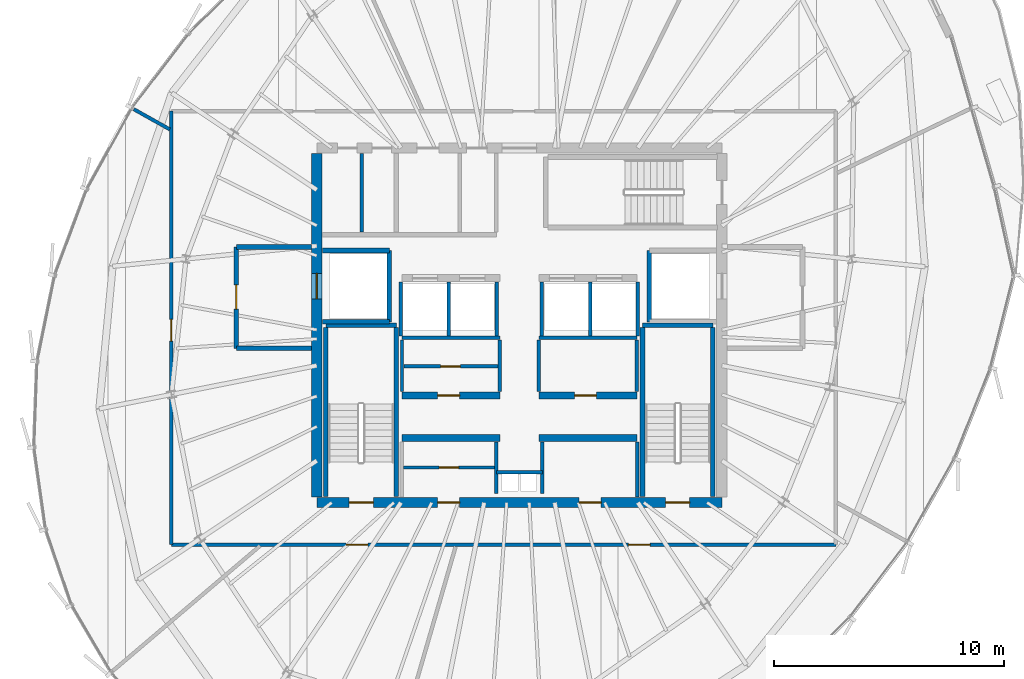
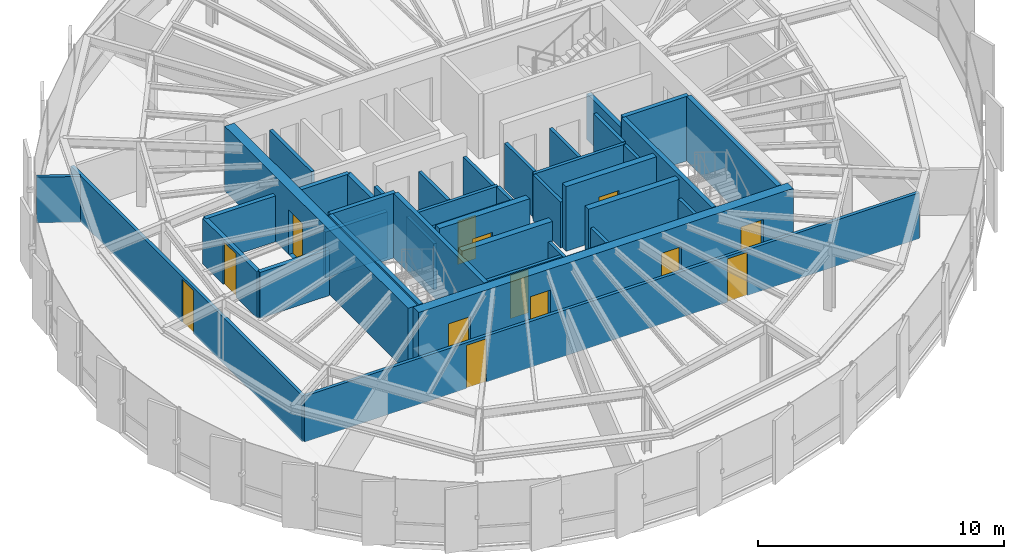
# One storey, part 27 of 34: 41 walls, 13 doors, 13 openings.
"""IFC4 building model written with IfcOpenShell, lengths in metres."""

from ifc_helpers import new_model, si_unit, direction, frame, frame_2d, origin, place, context, subcontext, project, spatial, rectangle, extrude, source, transform, mapped, material, layer, layer_set, type_object, element, fill, save


model = new_model("IFC4")

# Units and contexts
model_context = context("Model", 3, precision=1e-05, world=origin(), true_north=direction((0.0, 1.0)))
body_context = subcontext(model_context, "Body", "Model", "MODEL_VIEW")
ifc_project = project(units=[si_unit("LENGTHUNIT", "METRE"), si_unit("AREAUNIT", "SQUARE_METRE"), si_unit("VOLUMEUNIT", "CUBIC_METRE"), si_unit("PLANEANGLEUNIT", "RADIAN"), si_unit("MASSUNIT", "GRAM", prefix="KILO"), si_unit("THERMODYNAMICTEMPERATUREUNIT", "KELVIN")], contexts=[model_context])

# Site, building, storey
site_placement = place(None, origin())
site = spatial("IfcSite", under=ifc_project, at=site_placement, CompositionType="ELEMENT")
building_placement = place(site_placement, origin())
building = spatial("IfcBuilding", under=site, at=building_placement, Name="Kethvar Cultural Tower", CompositionType="ELEMENT")
storey_placement = place(building_placement, frame((0.0, 0.0, 231.85009765625)))
storey = spatial("IfcBuildingStorey", under=building, at=storey_placement, Name="L60", CompositionType="ELEMENT", Elevation=231.85009765625)

# Wall, openings, doors
ifc_material_1 = material(Name="Concrete C50/60", Category="concrete")
ifc_layer_1 = layer(ifc_material_1, 0.449951171875, Name="Concrete C50/60", Category="concrete")
ifc_layer_set_1 = layer_set([ifc_layer_1], Name="Concrete C50/60 (450 mm)")
wall_type_1 = type_object("IfcWallType", Name="WL-CORE-450", PredefinedType="SHEAR", material=ifc_layer_set_1)
wall_1_placement = place(storey_placement, frame((38.0, 20.10009765625, 0.0), z_axis=(0.0, 0.0, 1.0), x_axis=(1.0, 0.0, 0.0)))
wall_1 = element("IfcWall", 1, at=wall_1_placement, inside=storey, type_object=wall_type_1, Name="L60 Core Shear Wall S", PredefinedType="SHEAR", context=body_context, shape_type="SweptSolid", body=[
    extrude(rectangle(XDim=17.60009765625, YDim=0.449951171875, at=frame_2d((8.800048828125, 0.0))), origin(), (0.0, 0.0, 1.0), 3.2099609375),
])
opening_1_placement = place(wall_1_placement, frame((1.39990234375, 0.0, 0.0)))
opening_1 = element("IfcOpeningElement", 2, at=opening_1_placement, cuts=wall_1, Name="Opening D-L60-S1", PredefinedType="OPENING", context=body_context, shape_type="SweptSolid", body=[
    extrude(rectangle(XDim=1.050048828125, YDim=2.14990234375, at=frame_2d((0.52490234375, 1.074951171875))), frame((0.0, 0.23486328125, 0.0), z_axis=(0.0, -1.0, 0.0), x_axis=(1.0, 0.0, 0.0)), (0.0, 0.0, 1.0), 0.469970703125),
])
opening_2_placement = place(wall_1_placement, frame((15.14990234375, 0.0, 0.0)))
opening_2 = element("IfcOpeningElement", 3, at=opening_2_placement, cuts=wall_1, Name="Opening D-L60-ST2", PredefinedType="OPENING", context=body_context, shape_type="SweptSolid", body=[
    extrude(rectangle(XDim=1.050048828125, YDim=2.14990234375, at=frame_2d((0.52490234375, 1.074951171875))), frame((0.0, 0.23486328125, 0.0), z_axis=(0.0, -1.0, 0.0), x_axis=(1.0, 0.0, 0.0)), (0.0, 0.0, 1.0), 0.469970703125),
])
opening_3_placement = place(wall_1_placement, frame((5.25, 0.0, 0.0)))
opening_3 = element("IfcOpeningElement", 4, at=opening_3_placement, cuts=wall_1, Name="Opening D-L60-V1", PredefinedType="OPENING", context=body_context, shape_type="SweptSolid", body=[
    extrude(rectangle(XDim=0.949951171875, YDim=2.14990234375, at=frame_2d((0.47509765625, 1.074951171875))), frame((0.0, 0.23486328125, 0.0), z_axis=(0.0, -1.0, 0.0), x_axis=(1.0, 0.0, 0.0)), (0.0, 0.0, 1.0), 0.469970703125),
])
opening_4_placement = place(wall_1_placement, frame((11.39990234375, 0.0, 0.0)))
opening_4 = element("IfcOpeningElement", 5, at=opening_4_placement, cuts=wall_1, Name="Opening D-L60-V2", PredefinedType="OPENING", context=body_context, shape_type="SweptSolid", body=[
    extrude(rectangle(XDim=0.949951171875, YDim=2.14990234375, at=frame_2d((0.47509765625, 1.074951171875))), frame((0.0, 0.23486328125, 0.0), z_axis=(0.0, -1.0, 0.0), x_axis=(1.0, 0.0, 0.0)), (0.0, 0.0, 1.0), 0.469970703125),
])
ifc_material_2 = material(Name="Steel S355J2", Category="steel")
door_type_1 = type_object("IfcDoorType", Name="DR-FD60-1050", OperationType="NOTDEFINED", PredefinedType="DOOR", material=ifc_material_2)
shared_shape_1 = source(origin(), body_context, "Body", "SweptSolid", [
    extrude(rectangle(XDim=1.050048828125, YDim=2.14990234375, at=frame_2d((0.52490234375, 1.074951171875))), frame((0.0, 0.02490234375, 0.0), z_axis=(0.0, -1.0, 0.0), x_axis=(1.0, 0.0, 0.0)), (0.0, 0.0, 1.0), 0.050048828125),
])
door_1_placement = place(opening_1_placement, origin())
door_1 = element("IfcDoor", 6, at=door_1_placement, inside=storey, type_object=door_type_1, Name="L60 Exit Stair 1 Door", OperationType="SINGLE_SWING_LEFT", OverallHeight=2.14990234375, OverallWidth=1.050048828125, PredefinedType="DOOR", context=body_context, shape_type="MappedRepresentation", body=[
    mapped(shared_shape_1, transform((0.0, 0.0, 0.0), scale=1.0)),
])
fill(opening_1, door_1)
door_2_placement = place(opening_2_placement, origin())
door_2 = element("IfcDoor", 7, at=door_2_placement, inside=storey, type_object=door_type_1, Name="L60 Exit Stair 2 Door", OperationType="SINGLE_SWING_RIGHT", OverallHeight=2.14990234375, OverallWidth=1.050048828125, PredefinedType="DOOR", context=body_context, shape_type="MappedRepresentation", body=[
    mapped(shared_shape_1, transform((0.0, 0.0, 0.0), scale=1.0)),
])
fill(opening_2, door_2)
ifc_material_3 = material(Name="Architectural Oak Timber", Category="wood")
door_type_2 = type_object("IfcDoorType", Name="DR-FD30-950", OperationType="NOTDEFINED", PredefinedType="DOOR", material=ifc_material_3)
shared_shape_2 = source(origin(), body_context, "Body", "SweptSolid", [
    extrude(rectangle(XDim=0.949951171875, YDim=2.14990234375, at=frame_2d((0.47509765625, 1.074951171875))), frame((0.0, 0.02490234375, 0.0), z_axis=(0.0, -1.0, 0.0), x_axis=(1.0, 0.0, 0.0)), (0.0, 0.0, 1.0), 0.050048828125),
])
door_3_placement = place(opening_3_placement, origin())
door_3 = element("IfcDoor", 8, at=door_3_placement, inside=storey, type_object=door_type_2, Name="L60 Reclaimed West South Door", OperationType="SINGLE_SWING_LEFT", OverallHeight=2.14990234375, OverallWidth=0.949951171875, PredefinedType="DOOR", context=body_context, shape_type="MappedRepresentation", body=[
    mapped(shared_shape_2, transform((0.0, 0.0, 0.0), scale=1.0)),
])
fill(opening_3, door_3)
door_4_placement = place(opening_4_placement, origin())
door_4 = element("IfcDoor", 9, at=door_4_placement, inside=storey, type_object=door_type_2, Name="L60 Reclaimed East Server Door", OperationType="SINGLE_SWING_RIGHT", OverallHeight=2.14990234375, OverallWidth=0.949951171875, PredefinedType="DOOR", context=body_context, shape_type="MappedRepresentation", body=[
    mapped(shared_shape_2, transform((0.0, 0.0, 0.0), scale=1.0)),
])
fill(opening_4, door_4)

# Wall, opening, door
wall_2_placement = place(storey_placement, frame((38.0, 35.260009765625, 0.0), z_axis=(0.0, 0.0, 1.0), x_axis=(0.0, -1.0, 0.0)))
wall_2 = element("IfcWall", 10, at=wall_2_placement, inside=storey, type_object=wall_type_1, Name="L60 Core Shear Wall W", PredefinedType="SHEAR", context=body_context, shape_type="SweptSolid", body=[
    extrude(rectangle(XDim=14.919921875, YDim=0.449951171875, at=frame_2d((7.4599609375, 0.0))), origin(), (0.0, 0.0, 1.0), 3.2099609375),
])
opening_5_placement = place(wall_2_placement, frame((5.2099609375, 0.0, 0.0)))
opening_5 = element("IfcOpeningElement", 11, at=opening_5_placement, cuts=wall_2, Name="Opening LD-1", PredefinedType="OPENING", context=body_context, shape_type="SweptSolid", body=[
    extrude(rectangle(XDim=1.10009765625, YDim=2.199951171875, at=frame_2d((0.550048828125, 1.10009765625))), frame((0.0, 0.23486328125, 0.0), z_axis=(0.0, -1.0, 0.0), x_axis=(1.0, 0.0, 0.0)), (0.0, 0.0, 1.0), 0.469970703125),
])
door_type_3 = type_object("IfcDoorType", Name="DR-LIFT-SLIDE-1100", OperationType="NOTDEFINED", PredefinedType="DOOR", material=ifc_material_2)
shared_shape_3 = source(origin(), body_context, "Body", "SweptSolid", [
    extrude(rectangle(XDim=1.10009765625, YDim=2.199951171875, at=frame_2d((0.550048828125, 1.10009765625))), frame((0.0, 0.02490234375, 0.0), z_axis=(0.0, -1.0, 0.0), x_axis=(1.0, 0.0, 0.0)), (0.0, 0.0, 1.0), 0.050048828125),
])
door_5_placement = place(opening_5_placement, origin())
door_5 = element("IfcDoor", 12, at=door_5_placement, inside=storey, type_object=door_type_3, Name="L60 Firefighting Lift Landing Door FFL-01", OperationType="SLIDING_TO_LEFT", OverallHeight=2.199951171875, OverallWidth=1.10009765625, PredefinedType="DOOR", context=body_context, shape_type="MappedRepresentation", body=[
    mapped(shared_shape_3, transform((0.0, 0.0, 0.0), scale=1.0)),
])
fill(opening_5, door_5)

# Walls
ifc_material_4 = material(Name="Gypsum Fireboard Partition")
ifc_layer_2 = layer(ifc_material_4, 0.14990234375, Name="Gypsum Fireboard Partition")
ifc_layer_set_2 = layer_set([ifc_layer_2], Name="Gypsum Fireboard Partition (150 mm)")
wall_type_2 = type_object("IfcWallType", Name="WL-FIRE-150", PredefinedType="PARTITIONING", material=ifc_layer_set_2)
wall_3_placement = place(storey_placement, frame((45.800048828125, 21.419921875, 0.0), z_axis=(0.0, 0.0, 1.0), x_axis=(1.0, 0.0, 0.0)))
element("IfcWall", 13, at=wall_3_placement, inside=storey, type_object=wall_type_2, Name="L60 Core Riser Wall", PredefinedType="PARTITIONING", context=body_context, shape_type="SweptSolid", body=[
    extrude(rectangle(XDim=2.0, YDim=0.14990234375, at=frame_2d((1.0, 0.0))), origin(), (0.0, 0.0, 1.0), 2.27978515625),
])
for number, where, z_axis, x_axis, name in (
    (14, (45.800048828125, 20.47998046875, 0.0), (0.0, 0.0, 1.0), (0.0, 1.0, 0.0), "L60 Core Riser West Wall"),
    (15, (47.800048828125, 20.47998046875, 0.0), (0.0, 0.0, 1.0), (0.0, 1.0, 0.0), "L60 Core Riser East Wall"),
):
    element("IfcWall", number, at=place(storey_placement, frame(where, z_axis=z_axis, x_axis=x_axis)), inside=storey, type_object=wall_type_2, Name=name, PredefinedType="PARTITIONING", context=body_context, shape_type="SweptSolid", body=[
        extrude(rectangle(XDim=2.239990234375, YDim=0.14990234375, at=frame_2d((1.1201171875, 0.0))), origin(), (0.0, 0.0, 1.0), 2.27978515625),
    ])
wall_4_placement = place(storey_placement, frame((51.919921875, 20.3349609375, 0.0), z_axis=(0.0, 0.0, 1.0), x_axis=(0.0, 1.0, 0.0)))
element("IfcWall", 16, at=wall_4_placement, inside=storey, type_object=wall_type_2, Name="L60 Reclaimed East Outer Wall", PredefinedType="PARTITIONING", context=body_context, shape_type="SweptSolid", body=[
    extrude(rectangle(XDim=2.39501953125, YDim=0.14990234375, at=frame_2d((1.197509765625, 0.0))), origin(), (0.0, 0.0, 1.0), 2.27978515625),
])

# Wall, opening, door
wall_5_placement = place(storey_placement, frame((41.760009765625, 21.6201171875, 0.0), z_axis=(0.0, 0.0, 1.0), x_axis=(1.0, 0.0, 0.0)))
wall_5 = element("IfcWall", 17, at=wall_5_placement, inside=storey, type_object=wall_type_2, Name="L60 Vault Gallery Wall W", PredefinedType="PARTITIONING", context=body_context, shape_type="SweptSolid", body=[
    extrude(rectangle(XDim=3.9599609375, YDim=0.14990234375, at=frame_2d((1.97998046875, 0.0))), origin(), (0.0, 0.0, 1.0), 2.27978515625),
])
opening_6_placement = place(wall_5_placement, frame((1.550048828125, 0.0, 0.0)))
opening_6 = element("IfcOpeningElement", 18, at=opening_6_placement, cuts=wall_5, Name="Opening D-L60-V3", PredefinedType="OPENING", context=body_context, shape_type="SweptSolid", body=[
    extrude(rectangle(XDim=0.85009765625, YDim=2.14990234375, at=frame_2d((0.425048828125, 1.074951171875))), frame((0.0, 0.0849609375, 0.0), z_axis=(0.0, -1.0, 0.0), x_axis=(1.0, 0.0, 0.0)), (0.0, 0.0, 1.0), 0.169921875),
])
door_type_4 = type_object("IfcDoorType", Name="DR-FD30-850", OperationType="NOTDEFINED", PredefinedType="DOOR", material=ifc_material_2)
shared_shape_4 = source(origin(), body_context, "Body", "SweptSolid", [
    extrude(rectangle(XDim=0.85009765625, YDim=2.14990234375, at=frame_2d((0.425048828125, 1.074951171875))), frame((0.0, 0.02490234375, 0.0), z_axis=(0.0, -1.0, 0.0), x_axis=(1.0, 0.0, 0.0)), (0.0, 0.0, 1.0), 0.050048828125),
])
door_6_placement = place(opening_6_placement, origin())
door_6 = element("IfcDoor", 19, at=door_6_placement, inside=storey, type_object=door_type_4, Name="L60 Inner Vault Gallery Door", OperationType="SINGLE_SWING_LEFT", OverallHeight=2.14990234375, OverallWidth=0.85009765625, PredefinedType="DOOR", context=body_context, shape_type="MappedRepresentation", body=[
    mapped(shared_shape_4, transform((0.0, 0.0, 0.0), scale=1.0)),
])
fill(opening_6, door_6)

# Walls
for number, where, z_axis, x_axis, name in (
    (20, (41.699951171875, 27.25, 0.0), (0.0, 0.0, 1.0), (1.0, 0.0, 0.0), "L60 Reclaimed Mid Wall W"),
    (21, (47.64990234375, 27.25, 0.0), (0.0, 0.0, 1.0), (1.0, 0.0, 0.0), "L60 Reclaimed Mid Wall E"),
):
    element("IfcWall", number, at=place(storey_placement, frame(where, z_axis=z_axis, x_axis=x_axis)), inside=storey, type_object=wall_type_2, Name=name, PredefinedType="PARTITIONING", context=body_context, shape_type="SweptSolid", body=[
        extrude(rectangle(XDim=4.25, YDim=0.14990234375, at=frame_2d((2.125, 0.0))), origin(), (0.0, 0.0, 1.0), 2.27978515625),
    ])
for number, where, z_axis, x_axis, name in (
    (22, (41.699951171875, 24.919921875, 0.0), (0.0, 0.0, 1.0), (0.0, 1.0, 0.0), "L60 Reclaimed Mid Outer W"),
    (23, (45.949951171875, 24.919921875, 0.0), (0.0, 0.0, 1.0), (0.0, 1.0, 0.0), "L60 Reclaimed Mid Spine W"),
    (24, (47.64990234375, 24.919921875, 0.0), (0.0, 0.0, 1.0), (0.0, 1.0, 0.0), "L60 Reclaimed Mid Spine E"),
    (25, (51.89990234375, 24.919921875, 0.0), (0.0, 0.0, 1.0), (0.0, 1.0, 0.0), "L60 Reclaimed Mid Outer E"),
):
    element("IfcWall", number, at=place(storey_placement, frame(where, z_axis=z_axis, x_axis=x_axis)), inside=storey, type_object=wall_type_2, Name=name, PredefinedType="PARTITIONING", context=body_context, shape_type="SweptSolid", body=[
        extrude(rectangle(XDim=2.239990234375, YDim=0.14990234375, at=frame_2d((1.1201171875, 0.0))), origin(), (0.0, 0.0, 1.0), 2.27978515625),
    ])

# Wall, opening, door
wall_6_placement = place(storey_placement, frame((41.780029296875, 26.010009765625, 0.0), z_axis=(0.0, 0.0, 1.0), x_axis=(1.0, 0.0, 0.0)))
wall_6 = element("IfcWall", 26, at=wall_6_placement, inside=storey, type_object=wall_type_2, Name="L60 Mid Gallery Wall W", PredefinedType="PARTITIONING", context=body_context, shape_type="SweptSolid", body=[
    extrude(rectangle(XDim=4.090087890625, YDim=0.14990234375, at=frame_2d((2.044921875, 0.0))), origin(), (0.0, 0.0, 1.0), 2.27978515625),
])
opening_7_placement = place(wall_6_placement, frame((1.60009765625, 0.0, 0.0)))
opening_7 = element("IfcOpeningElement", 27, at=opening_7_placement, cuts=wall_6, Name="Opening D-L60-M3", PredefinedType="OPENING", context=body_context, shape_type="SweptSolid", body=[
    extrude(rectangle(XDim=0.85009765625, YDim=2.14990234375, at=frame_2d((0.425048828125, 1.074951171875))), frame((0.0, 0.0849609375, 0.0), z_axis=(0.0, -1.0, 0.0), x_axis=(1.0, 0.0, 0.0)), (0.0, 0.0, 1.0), 0.169921875),
])
door_7_placement = place(opening_7_placement, origin())
door_7 = element("IfcDoor", 28, at=door_7_placement, inside=storey, type_object=door_type_4, Name="L60 Fibre Inner Door", OperationType="SINGLE_SWING_LEFT", OverallHeight=2.14990234375, OverallWidth=0.85009765625, PredefinedType="DOOR", context=body_context, shape_type="MappedRepresentation", body=[
    mapped(shared_shape_4, transform((0.0, 0.0, 0.0), scale=1.0)),
])
fill(opening_7, door_7)

# Walls
for number, where, z_axis, x_axis, name in (
    (29, (41.64990234375, 27.340087890625, 0.0), (0.0, 0.0, 1.0), (0.0, 1.0, 0.0), "L60 High-Rise Lift Shaft Outer Wall W"),
    (30, (43.72509765625, 27.340087890625, 0.0), (0.0, 0.0, 1.0), (0.0, 1.0, 0.0), "L60 High-Rise Lift Shaft Divider W"),
    (31, (45.824951171875, 27.340087890625, 0.0), (0.0, 0.0, 1.0), (0.0, 1.0, 0.0), "L60 High-Rise Lift Shaft Concourse Wall W"),
    (32, (47.77490234375, 27.340087890625, 0.0), (0.0, 0.0, 1.0), (0.0, 1.0, 0.0), "L60 High-Rise Lift Shaft Concourse Wall E"),
    (33, (49.875, 27.340087890625, 0.0), (0.0, 0.0, 1.0), (0.0, 1.0, 0.0), "L60 High-Rise Lift Shaft Divider E"),
    (34, (51.949951171875, 27.340087890625, 0.0), (0.0, 0.0, 1.0), (0.0, 1.0, 0.0), "L60 High-Rise Lift Shaft Outer Wall E"),
):
    element("IfcWall", number, at=place(storey_placement, frame(where, z_axis=z_axis, x_axis=x_axis)), inside=storey, type_object=wall_type_2, Name=name, PredefinedType="PARTITIONING", context=body_context, shape_type="SweptSolid", body=[
        extrude(rectangle(XDim=2.33984375, YDim=0.14990234375, at=frame_2d((1.169921875, 0.0))), origin(), (0.0, 0.0, 1.0), 2.27978515625),
    ])
wall_7_placement = place(storey_placement, frame((39.949951171875, 31.85009765625, 0.0), z_axis=(0.0, 0.0, 1.0), x_axis=(0.0, 1.0, 0.0)))
element("IfcWall", 35, at=wall_7_placement, inside=storey, type_object=wall_type_2, Name="L60 NW Riser Divider", PredefinedType="PARTITIONING", context=body_context, shape_type="SweptSolid", body=[
    extrude(rectangle(XDim=3.414794921875, YDim=0.14990234375, at=frame_2d((1.70751953125, 0.0))), origin(), (0.0, 0.0, 1.0), 2.27978515625),
])

# Wall, openings, doors
wall_8_placement = place(storey_placement, frame((31.679931640625, 18.26904296875, 0.0), z_axis=(0.0, 0.0, 1.0), x_axis=(1.0, 0.0, 0.0)))
wall_8 = element("IfcWall", 36, at=wall_8_placement, inside=storey, type_object=wall_type_2, Name="L60 Corridor Rated Wall S", PredefinedType="PARTITIONING", context=body_context, shape_type="SweptSolid", body=[
    extrude(rectangle(XDim=28.8701171875, YDim=0.14990234375, at=frame_2d((14.43505859375, 0.0))), origin(), (0.0, 0.0, 1.0), 2.27978515625),
])
opening_8_placement = place(wall_8_placement, frame((7.59130859375, 0.0, 0.0)))
opening_8 = element("IfcOpeningElement", 37, at=opening_8_placement, cuts=wall_8, Name="Opening D-L60-01", PredefinedType="OPENING", context=body_context, shape_type="SweptSolid", body=[
    extrude(rectangle(XDim=0.949951171875, YDim=2.14990234375, at=frame_2d((0.47509765625, 1.074951171875))), frame((0.0, 0.0849609375, 0.0), z_axis=(0.0, -1.0, 0.0), x_axis=(1.0, 0.0, 0.0)), (0.0, 0.0, 1.0), 0.169921875),
])
opening_9_placement = place(wall_8_placement, frame((19.851318359375, 0.0, 0.0)))
opening_9 = element("IfcOpeningElement", 38, at=opening_9_placement, cuts=wall_8, Name="Opening D-L60-02", PredefinedType="OPENING", context=body_context, shape_type="SweptSolid", body=[
    extrude(rectangle(XDim=0.949951171875, YDim=2.14990234375, at=frame_2d((0.47509765625, 1.074951171875))), frame((0.0, 0.0849609375, 0.0), z_axis=(0.0, -1.0, 0.0), x_axis=(1.0, 0.0, 0.0)), (0.0, 0.0, 1.0), 0.169921875),
])
door_8_placement = place(opening_8_placement, origin())
door_8 = element("IfcDoor", 39, at=door_8_placement, inside=storey, type_object=door_type_2, Name="L60 Visitor Reception 01 Door", OperationType="SINGLE_SWING_LEFT", OverallHeight=2.14990234375, OverallWidth=0.949951171875, PredefinedType="DOOR", context=body_context, shape_type="MappedRepresentation", body=[
    mapped(shared_shape_2, transform((0.0, 0.0, 0.0), scale=1.0)),
])
fill(opening_8, door_8)
door_9_placement = place(opening_9_placement, origin())
door_9 = element("IfcDoor", 40, at=door_9_placement, inside=storey, type_object=door_type_2, Name="L60 Academic Study Lounge 02 Door", OperationType="SINGLE_SWING_RIGHT", OverallHeight=2.14990234375, OverallWidth=0.949951171875, PredefinedType="DOOR", context=body_context, shape_type="MappedRepresentation", body=[
    mapped(shared_shape_2, transform((0.0, 0.0, 0.0), scale=1.0)),
])
fill(opening_9, door_9)

# Wall, opening, door
wall_9_placement = place(storey_placement, frame((31.679931640625, 37.10009765625, 0.0), z_axis=(0.0, 0.0, 1.0), x_axis=(0.0, -1.0, 0.0)))
wall_9 = element("IfcWall", 41, at=wall_9_placement, inside=storey, type_object=wall_type_2, Name="L60 Corridor Rated Wall W", PredefinedType="PARTITIONING", context=body_context, shape_type="SweptSolid", body=[
    extrude(rectangle(XDim=18.8310546875, YDim=0.14990234375, at=frame_2d((9.41552734375, 0.0))), origin(), (0.0, 0.0, 1.0), 2.27978515625),
])
opening_10_placement = place(wall_9_placement, frame((9.044189453125, 0.0, 0.0)))
opening_10 = element("IfcOpeningElement", 42, at=opening_10_placement, cuts=wall_9, Name="Opening D-L60-07", PredefinedType="OPENING", context=body_context, shape_type="SweptSolid", body=[
    extrude(rectangle(XDim=0.949951171875, YDim=2.14990234375, at=frame_2d((0.47509765625, 1.074951171875))), frame((0.0, 0.0849609375, 0.0), z_axis=(0.0, -1.0, 0.0), x_axis=(1.0, 0.0, 0.0)), (0.0, 0.0, 1.0), 0.169921875),
])
door_10_placement = place(opening_10_placement, origin())
door_10 = element("IfcDoor", 43, at=door_10_placement, inside=storey, type_object=door_type_2, Name="L60 Curatorial Staff Room 07 Door", OperationType="SINGLE_SWING_LEFT", OverallHeight=2.14990234375, OverallWidth=0.949951171875, PredefinedType="DOOR", context=body_context, shape_type="MappedRepresentation", body=[
    mapped(shared_shape_2, transform((0.0, 0.0, 0.0), scale=1.0)),
])
fill(opening_10, door_10)

# Walls
ifc_material_5 = material(Name="Concrete C40/50", Category="concrete")
ifc_layer_3 = layer(ifc_material_5, 0.199951171875, Name="Concrete C40/50", Category="concrete")
ifc_layer_set_3 = layer_set([ifc_layer_3], Name="Concrete C40/50 (200 mm)")
wall_type_3 = type_object("IfcWallType", Name="WL-FIRE-200", PredefinedType="PARTITIONING", material=ifc_layer_set_3)
wall_10_placement = place(storey_placement, frame((41.14990234375, 27.949951171875, 0.0), z_axis=(0.0, 0.0, 1.0), x_axis=(0.0, 1.0, 0.0)))
element("IfcWall", 44, at=wall_10_placement, inside=storey, type_object=wall_type_3, Name="L60 FFL-01 Shaft Inner Wall", PredefinedType="PARTITIONING", context=body_context, shape_type="SweptSolid", body=[
    extrude(rectangle(XDim=3.10009765625, YDim=0.199951171875, at=frame_2d((1.550048828125, 0.0))), origin(), (0.0, 0.0, 1.0), 2.27978515625),
])
for number, where, z_axis, x_axis, name in (
    (45, (38.235107421875, 27.949951171875, 0.0), (0.0, 0.0, 1.0), (1.0, 0.0, 0.0), "L60 FFL-01 Shaft South Wall"),
    (46, (38.235107421875, 31.050048828125, 0.0), (0.0, 0.0, 1.0), (1.0, 0.0, 0.0), "L60 FFL-01 Shaft North Wall"),
):
    element("IfcWall", number, at=place(storey_placement, frame(where, z_axis=z_axis, x_axis=x_axis)), inside=storey, type_object=wall_type_3, Name=name, PredefinedType="PARTITIONING", context=body_context, shape_type="SweptSolid", body=[
        extrude(rectangle(XDim=2.914794921875, YDim=0.199951171875, at=frame_2d((1.45751953125, 0.0))), origin(), (0.0, 0.0, 1.0), 2.27978515625),
    ])

# Wall, opening, door
wall_11_placement = place(storey_placement, frame((34.5, 31.199951171875, 0.0), z_axis=(0.0, 0.0, 1.0), x_axis=(0.0, -1.0, 0.0)))
wall_11 = element("IfcWall", 47, at=wall_11_placement, inside=storey, type_object=wall_type_3, Name="L60 Firefighting Lobby 1 Wall", PredefinedType="PARTITIONING", context=body_context, shape_type="SweptSolid", body=[
    extrude(rectangle(XDim=4.39990234375, YDim=0.199951171875, at=frame_2d((2.199951171875, 0.0))), origin(), (0.0, 0.0, 1.0), 2.27978515625),
])
opening_11_placement = place(wall_11_placement, frame((1.64990234375, 0.0, 0.0)))
opening_11 = element("IfcOpeningElement", 48, at=opening_11_placement, cuts=wall_11, Name="Opening D-L60-F1", PredefinedType="OPENING", context=body_context, shape_type="SweptSolid", body=[
    extrude(rectangle(XDim=1.050048828125, YDim=2.14990234375, at=frame_2d((0.52490234375, 1.074951171875))), frame((0.0, 0.10986328125, 0.0), z_axis=(0.0, -1.0, 0.0), x_axis=(1.0, 0.0, 0.0)), (0.0, 0.0, 1.0), 0.219970703125),
])
door_11_placement = place(opening_11_placement, origin())
door_11 = element("IfcDoor", 49, at=door_11_placement, inside=storey, type_object=door_type_1, Name="L60 Firefighting Lobby 1 Fire Door", OperationType="SINGLE_SWING_LEFT", OverallHeight=2.14990234375, OverallWidth=1.050048828125, PredefinedType="DOOR", context=body_context, shape_type="MappedRepresentation", body=[
    mapped(shared_shape_1, transform((0.0, 0.0, 0.0), scale=1.0)),
])
fill(opening_11, door_11)

# Walls
for number, where, z_axis, x_axis, name in (
    (50, (34.5, 26.800048828125, 0.0), (0.0, 0.0, 1.0), (1.0, 0.0, 0.0), "L60 FF Lobby 1 South Wall"),
    (51, (34.5, 31.199951171875, 0.0), (0.0, 0.0, 1.0), (1.0, 0.0, 0.0), "L60 FF Lobby 1 North Wall"),
):
    element("IfcWall", number, at=place(storey_placement, frame(where, z_axis=z_axis, x_axis=x_axis)), inside=storey, type_object=wall_type_3, Name=name, PredefinedType="PARTITIONING", context=body_context, shape_type="SweptSolid", body=[
        extrude(rectangle(XDim=3.264892578125, YDim=0.199951171875, at=frame_2d((1.63232421875, 0.0))), origin(), (0.0, 0.0, 1.0), 2.27978515625),
    ])
wall_12_placement = place(storey_placement, frame((52.449951171875, 27.949951171875, 0.0), z_axis=(0.0, 0.0, 1.0), x_axis=(0.0, 1.0, 0.0)))
element("IfcWall", 52, at=wall_12_placement, inside=storey, type_object=wall_type_3, Name="L60 FFL-02 Shaft Inner Wall", PredefinedType="PARTITIONING", context=body_context, shape_type="SweptSolid", body=[
    extrude(rectangle(XDim=3.10009765625, YDim=0.199951171875, at=frame_2d((1.550048828125, 0.0))), origin(), (0.0, 0.0, 1.0), 2.27978515625),
])
ifc_material_6 = material(Name="Gypsum Acoustic Partition")
ifc_layer_4 = layer(ifc_material_6, 0.14990234375, Name="Gypsum Acoustic Partition")
ifc_layer_set_4 = layer_set([ifc_layer_4], Name="Gypsum Acoustic Partition (150 mm)")
wall_type_4 = type_object("IfcWallType", Name="WL-PART-150", PredefinedType="PARTITIONING", material=ifc_layer_set_4)
wall_13_placement = place(storey_placement, frame((31.610107421875, 36.310546875, 0.0), z_axis=(0.0, 0.0, 1.0), x_axis=(-0.872236549991, 0.489084247201, 0.0)))
element("IfcWall", 53, at=wall_13_placement, inside=storey, type_object=wall_type_4, Name="L60 Radial Partition Wall 07", PredefinedType="PARTITIONING", context=body_context, shape_type="SweptSolid", body=[
    extrude(rectangle(XDim=1.79296875, YDim=0.14990234375, at=frame_2d((0.896484375, 0.0))), origin(), (0.0, 0.0, 1.0), 2.27978515625),
])
ifc_layer_5 = layer(ifc_material_1, 0.300048828125, Name="Concrete C50/60", Category="concrete")
ifc_layer_set_5 = layer_set([ifc_layer_5], Name="Concrete C50/60 (300 mm)")
wall_type_5 = type_object("IfcWallType", Name="WL-SHAFT-300", PredefinedType="SHEAR", material=ifc_layer_set_5)
for number, where, z_axis, x_axis, name in (
    (54, (41.699951171875, 22.89990234375, 0.0), (0.0, 0.0, 1.0), (1.0, 0.0, 0.0), "L60 Core Lift Spine Wall MID1W"),
    (55, (47.64990234375, 22.89990234375, 0.0), (0.0, 0.0, 1.0), (1.0, 0.0, 0.0), "L60 Core Lift Spine Wall MID1E"),
):
    element("IfcWall", number, at=place(storey_placement, frame(where, z_axis=z_axis, x_axis=x_axis)), inside=storey, type_object=wall_type_5, Name=name, PredefinedType="SHEAR", context=body_context, shape_type="SweptSolid", body=[
        extrude(rectangle(XDim=4.25, YDim=0.300048828125, at=frame_2d((2.125, 0.0))), origin(), (0.0, 0.0, 1.0), 3.2099609375),
    ])

# Wall, opening, door
wall_14_placement = place(storey_placement, frame((41.699951171875, 24.75, 0.0), z_axis=(0.0, 0.0, 1.0), x_axis=(1.0, 0.0, 0.0)))
wall_14 = element("IfcWall", 56, at=wall_14_placement, inside=storey, type_object=wall_type_5, Name="L60 Core Lift Spine Wall MID2W", PredefinedType="SHEAR", context=body_context, shape_type="SweptSolid", body=[
    extrude(rectangle(XDim=4.25, YDim=0.300048828125, at=frame_2d((2.125, 0.0))), origin(), (0.0, 0.0, 1.0), 3.2099609375),
])
opening_12_placement = place(wall_14_placement, frame((1.550048828125, 0.0, 0.0)))
opening_12 = element("IfcOpeningElement", 57, at=opening_12_placement, cuts=wall_14, Name="Opening D-L60-M1", PredefinedType="OPENING", context=body_context, shape_type="SweptSolid", body=[
    extrude(rectangle(XDim=0.949951171875, YDim=2.14990234375, at=frame_2d((0.47509765625, 1.074951171875))), frame((0.0, 0.159912109375, 0.0), z_axis=(0.0, -1.0, 0.0), x_axis=(1.0, 0.0, 0.0)), (0.0, 0.0, 1.0), 0.320068359375),
])
door_12_placement = place(opening_12_placement, origin())
door_12 = element("IfcDoor", 58, at=door_12_placement, inside=storey, type_object=door_type_2, Name="L60 Fibre Patch Door", OperationType="SINGLE_SWING_LEFT", OverallHeight=2.14990234375, OverallWidth=0.949951171875, PredefinedType="DOOR", context=body_context, shape_type="MappedRepresentation", body=[
    mapped(shared_shape_2, transform((0.0, 0.0, 0.0), scale=1.0)),
])
fill(opening_12, door_12)

wall_15_placement = place(storey_placement, frame((47.64990234375, 24.75, 0.0), z_axis=(0.0, 0.0, 1.0), x_axis=(1.0, 0.0, 0.0)))
wall_15 = element("IfcWall", 59, at=wall_15_placement, inside=storey, type_object=wall_type_5, Name="L60 Core Lift Spine Wall MID2E", PredefinedType="SHEAR", context=body_context, shape_type="SweptSolid", body=[
    extrude(rectangle(XDim=4.25, YDim=0.300048828125, at=frame_2d((2.125, 0.0))), origin(), (0.0, 0.0, 1.0), 3.2099609375),
])
opening_13_placement = place(wall_15_placement, frame((1.550048828125, 0.0, 0.0)))
opening_13 = element("IfcOpeningElement", 60, at=opening_13_placement, cuts=wall_15, Name="Opening D-L60-M2", PredefinedType="OPENING", context=body_context, shape_type="SweptSolid", body=[
    extrude(rectangle(XDim=0.949951171875, YDim=2.14990234375, at=frame_2d((0.47509765625, 1.074951171875))), frame((0.0, 0.159912109375, 0.0), z_axis=(0.0, -1.0, 0.0), x_axis=(1.0, 0.0, 0.0)), (0.0, 0.0, 1.0), 0.320068359375),
])
door_13_placement = place(opening_13_placement, origin())
door_13 = element("IfcDoor", 61, at=door_13_placement, inside=storey, type_object=door_type_2, Name="L60 Sky Archive Annex Door", OperationType="SINGLE_SWING_RIGHT", OverallHeight=2.14990234375, OverallWidth=0.949951171875, PredefinedType="DOOR", context=body_context, shape_type="MappedRepresentation", body=[
    mapped(shared_shape_2, transform((0.0, 0.0, 0.0), scale=1.0)),
])
fill(opening_13, door_13)

# Walls
ifc_layer_6 = layer(ifc_material_1, 0.199951171875, Name="Concrete C50/60", Category="concrete")
ifc_layer_set_6 = layer_set([ifc_layer_6], Name="Concrete C50/60 (200 mm)")
wall_type_6 = type_object("IfcWallType", Name="WL-STSHAFT-200", PredefinedType="SHEAR", material=ifc_layer_set_6)
wall_16_placement = place(storey_placement, frame((38.389892578125, 27.800048828125, 0.0), z_axis=(0.0, 0.0, 1.0), x_axis=(1.0, 0.0, 0.0)))
element("IfcWall", 62, at=wall_16_placement, inside=storey, type_object=wall_type_6, Name="L60 ST-01 Stair Shaft Wall FAR", PredefinedType="SHEAR", context=body_context, shape_type="SweptSolid", body=[
    extrude(rectangle(XDim=3.06005859375, YDim=0.199951171875, at=frame_2d((1.530029296875, 0.0))), origin(), (0.0, 0.0, 1.0), 3.2099609375),
])
for number, where, z_axis, x_axis, name in (
    (63, (41.449951171875, 27.699951171875, 0.0), (0.0, 0.0, 1.0), (0.0, -1.0, 0.0), "L60 ST-01 Stair Shaft Wall LEFT"),
    (64, (38.389892578125, 20.35009765625, 0.0), (0.0, 0.0, 1.0), (0.0, 1.0, 0.0), "L60 ST-01 Stair Shaft Wall RIGHT"),
):
    element("IfcWall", number, at=place(storey_placement, frame(where, z_axis=z_axis, x_axis=x_axis)), inside=storey, type_object=wall_type_6, Name=name, PredefinedType="SHEAR", context=body_context, shape_type="SweptSolid", body=[
        extrude(rectangle(XDim=7.349853515625, YDim=0.199951171875, at=frame_2d((3.6748046875, 0.0))), origin(), (0.0, 0.0, 1.0), 3.2099609375),
    ])
wall_17_placement = place(storey_placement, frame((52.14990234375, 27.800048828125, 0.0), z_axis=(0.0, 0.0, 1.0), x_axis=(1.0, 0.0, 0.0)))
element("IfcWall", 65, at=wall_17_placement, inside=storey, type_object=wall_type_6, Name="L60 ST-02 Stair Shaft Wall FAR", PredefinedType="SHEAR", context=body_context, shape_type="SweptSolid", body=[
    extrude(rectangle(XDim=3.06005859375, YDim=0.199951171875, at=frame_2d((1.530029296875, 0.0))), origin(), (0.0, 0.0, 1.0), 3.2099609375),
])
for number, where, z_axis, x_axis, name in (
    (66, (55.2099609375, 27.699951171875, 0.0), (0.0, 0.0, 1.0), (0.0, -1.0, 0.0), "L60 ST-02 Stair Shaft Wall LEFT"),
    (67, (52.14990234375, 20.35009765625, 0.0), (0.0, 0.0, 1.0), (0.0, 1.0, 0.0), "L60 ST-02 Stair Shaft Wall RIGHT"),
):
    element("IfcWall", number, at=place(storey_placement, frame(where, z_axis=z_axis, x_axis=x_axis)), inside=storey, type_object=wall_type_6, Name=name, PredefinedType="SHEAR", context=body_context, shape_type="SweptSolid", body=[
        extrude(rectangle(XDim=7.349853515625, YDim=0.199951171875, at=frame_2d((3.6748046875, 0.0))), origin(), (0.0, 0.0, 1.0), 3.2099609375),
    ])

save(model, "model.ifc")
